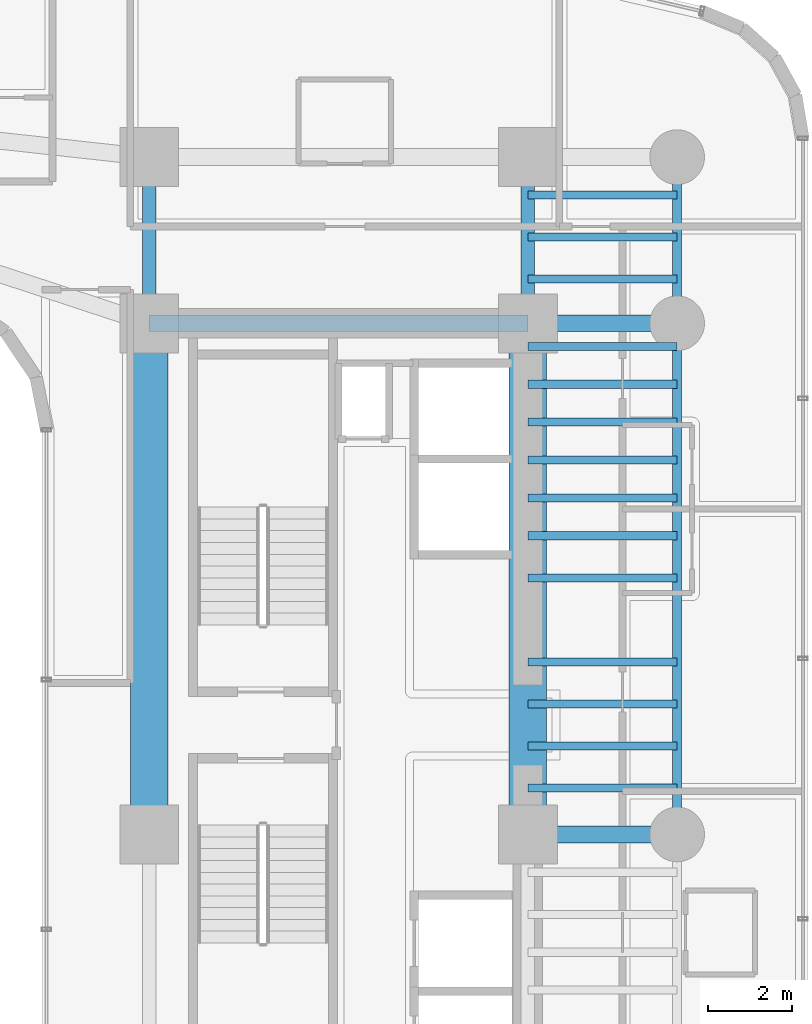
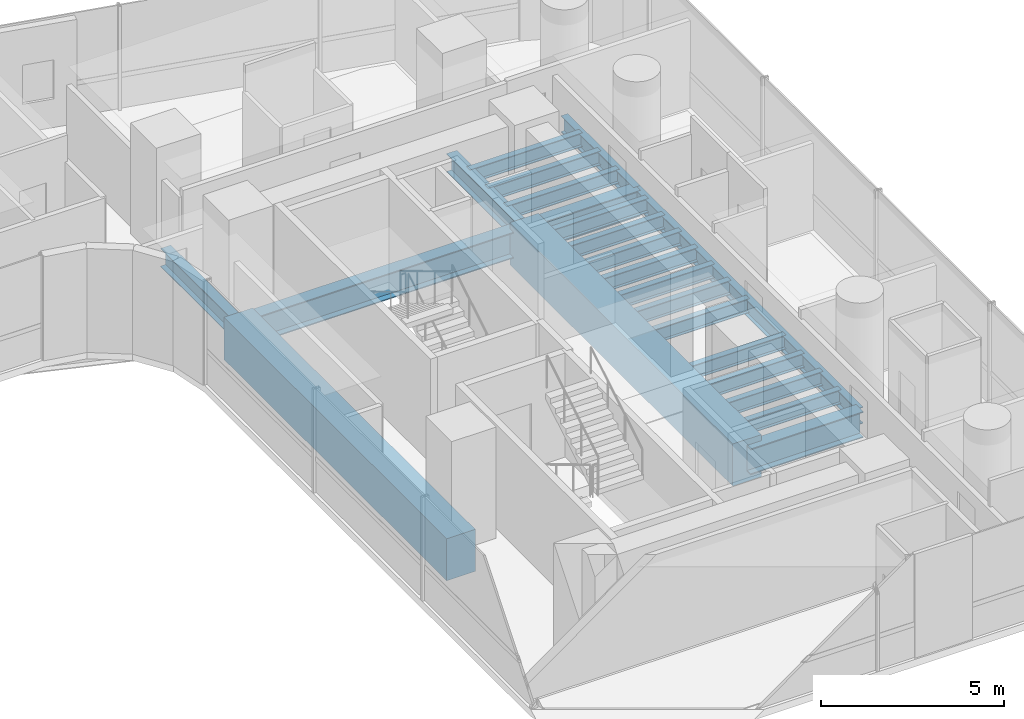
# One storey, part 17 of 42: 23 beams.
"""IFC4 building model written with IfcOpenShell, lengths in metres."""

from ifc_helpers import new_model, si_unit, direction, frame, origin, origin_2d, place, context, subcontext, project, spatial, rectangle, i_section, extrude, source, transform, mapped, material, material_profile, profile_set, type_object, element, save


model = new_model("IFC4")

# Units and contexts
model_context = context("Model", 3, precision=1e-05, world=origin(), true_north=direction((0.0, 1.0)))
body_context = subcontext(model_context, "Body", "Model", "MODEL_VIEW")
ifc_project = project(units=[si_unit("LENGTHUNIT", "METRE"), si_unit("AREAUNIT", "SQUARE_METRE"), si_unit("VOLUMEUNIT", "CUBIC_METRE"), si_unit("PLANEANGLEUNIT", "RADIAN"), si_unit("MASSUNIT", "GRAM", prefix="KILO")], contexts=[model_context])

# Site, building, storey
site_placement = place(None, origin())
site = spatial("IfcSite", under=ifc_project, at=site_placement, CompositionType="ELEMENT")
building_placement = place(site_placement, origin())
building = spatial("IfcBuilding", under=site, at=building_placement, Name="Valdorenza Pilgrim Sanctuary Tower", CompositionType="ELEMENT")
storey_placement = place(building_placement, frame((0.0, 0.0, 29.699951171875)))
storey = spatial("IfcBuildingStorey", under=building, at=storey_placement, Name="L06", CompositionType="ELEMENT", Elevation=29.699951171875)

# Beams
ifc_material_1 = material(Name="Concrete C60/75", Category="concrete")
ifc_material_profile_1 = material_profile(ifc_material_1, rectangle(XDim=0.89990234375, YDim=1.39990234375, at=origin_2d()), Name="RC 1400x900")
ifc_profile_set_1 = profile_set([ifc_material_profile_1], Name="Concrete C60/75")
beam_type_1 = type_object("IfcBeamType", Name="STR-BM-LNT-1400", PredefinedType="LINTEL", material=ifc_profile_set_1)
shared_shape_1 = source(origin(), body_context, "Body", "SweptSolid", [
    extrude(rectangle(XDim=0.89990234375, YDim=1.39990234375, at=origin_2d()), origin(), (0.0, 0.0, 1.0), 12.150146484375),
])
for number, where, z_axis, x_axis, name in (
    (1, (15.85009765625, -2.60009765625, -0.739990234375), (0.0, 1.0, 0.0), (-1.0, 0.0, 0.0), "L06 Core B West Coupling Lintel Girder"),
    (2, (24.85009765625, -2.60009765625, -0.739990234375), (0.0, 1.0, 0.0), (-1.0, 0.0, 0.0), "L06 Core B East Coupling Lintel Girder"),
):
    element("IfcBeam", number, at=place(storey_placement, frame(where, z_axis=z_axis, x_axis=x_axis)), inside=storey, type_object=beam_type_1, Name=name, PredefinedType="LINTEL", context=body_context, shape_type="MappedRepresentation", body=[
        mapped(shared_shape_1, transform((0.0, 0.0, 0.0), x_axis=(1.0, 0.0, 0.0), y_axis=(0.0, 1.0, 0.0), z_axis=(0.0, 0.0, 1.0), scale=1.0)),
    ])
ifc_material_2 = material(Name="Steel ASTM A992 Grade 50", Category="steel")
ifc_material_profile_2 = material_profile(ifc_material_2, i_section(OverallWidth=0.214111328125, OverallDepth=0.549072265625, WebThickness=0.0146484375, FlangeThickness=0.023681640625, at=origin_2d()), Name="W21X93")
ifc_profile_set_2 = profile_set([ifc_material_profile_2], Name="Steel ASTM A992 Grade 50")
beam_type_2 = type_object("IfcBeamType", Name="STR-BM-SPN-W21A", PredefinedType="SPANDREL", material=ifc_profile_set_2)
shared_shape_2 = source(origin(), body_context, "Body", "SweptSolid", [
    extrude(i_section(OverallWidth=0.214111328125, OverallDepth=0.549072265625, WebThickness=0.0146484375, FlangeThickness=0.023681640625, at=origin_2d()), origin(), (0.0, 0.0, 1.0), 12.150146484375),
])
beam_1_placement = place(storey_placement, frame((28.39990234375, -2.60009765625, -0.514404296875), z_axis=(0.0, 1.0, 0.0), x_axis=(-1.0, 0.0, 0.0)))
element("IfcBeam", 3, at=beam_1_placement, inside=storey, type_object=beam_type_2, Name="L06 Spandrel Beam WB-E-M0N1", PredefinedType="SPANDREL", context=body_context, shape_type="MappedRepresentation", body=[
    mapped(shared_shape_2, transform((0.0, 0.0, 0.0), x_axis=(1.0, 0.0, 0.0), y_axis=(0.0, 1.0, 0.0), z_axis=(0.0, 0.0, 1.0), scale=1.0)),
])
ifc_material_profile_3 = material_profile(ifc_material_2, i_section(OverallWidth=0.323974609375, OverallDepth=0.611083984375, WebThickness=0.0126953125, FlangeThickness=0.01904296875, at=origin_2d()), Name="W24X104")
ifc_profile_set_3 = profile_set([ifc_material_profile_3], Name="Steel ASTM A992 Grade 50")
beam_type_3 = type_object("IfcBeamType", Name="STR-BM-GRD-W24B", PredefinedType="BEAM", material=ifc_profile_set_3)
shared_shape_3 = source(origin(), body_context, "Body", "SweptSolid", [
    extrude(i_section(OverallWidth=0.323974609375, OverallDepth=0.611083984375, WebThickness=0.0126953125, FlangeThickness=0.01904296875, at=origin_2d()), origin(), (0.0, 0.0, 1.0), 3.949951171875),
])
for number, where, z_axis, x_axis, name in (
    (4, (15.85009765625, 9.550048828125, -0.54541015625), (0.0, 1.0, 0.0), (-1.0, 0.0, 0.0), "L06 Core Tie Girder CB-W-N1N2"),
    (5, (24.85009765625, 9.550048828125, -0.54541015625), (0.0, 1.0, 0.0), (-1.0, 0.0, 0.0), "L06 Core Tie Girder CB-E-N1N2"),
):
    element("IfcBeam", number, at=place(storey_placement, frame(where, z_axis=z_axis, x_axis=x_axis)), inside=storey, type_object=beam_type_3, Name=name, PredefinedType="BEAM", context=body_context, shape_type="MappedRepresentation", body=[
        mapped(shared_shape_3, transform((0.0, 0.0, 0.0), x_axis=(1.0, 0.0, 0.0), y_axis=(0.0, 1.0, 0.0), z_axis=(0.0, 0.0, 1.0), scale=1.0)),
    ])
shared_shape_4 = source(origin(), body_context, "Body", "SweptSolid", [
    extrude(i_section(OverallWidth=0.214111328125, OverallDepth=0.549072265625, WebThickness=0.0146484375, FlangeThickness=0.023681640625, at=origin_2d()), origin(), (0.0, 0.0, 1.0), 3.949951171875),
])
beam_2_placement = place(storey_placement, frame((28.39990234375, 9.550048828125, -0.514404296875), z_axis=(0.0, 1.0, 0.0), x_axis=(-1.0, 0.0, 0.0)))
element("IfcBeam", 6, at=beam_2_placement, inside=storey, type_object=beam_type_2, Name="L06 Spandrel Beam WB-E-N1N2", PredefinedType="SPANDREL", context=body_context, shape_type="MappedRepresentation", body=[
    mapped(shared_shape_4, transform((0.0, 0.0, 0.0), x_axis=(1.0, 0.0, 0.0), y_axis=(0.0, 1.0, 0.0), z_axis=(0.0, 0.0, 1.0), scale=1.0)),
])
ifc_material_profile_4 = material_profile(ifc_material_2, i_section(OverallWidth=0.193115234375, OverallDepth=0.466064453125, WebThickness=0.011474609375, FlangeThickness=0.01904296875, at=origin_2d()), Name="W18X65")
ifc_profile_set_4 = profile_set([ifc_material_profile_4], Name="Steel ASTM A992 Grade 50")
beam_type_4 = type_object("IfcBeamType", Name="STR-BM-JST-W18A", PredefinedType="JOIST", material=ifc_profile_set_4)
shared_shape_5 = source(origin(), body_context, "Body", "SweptSolid", [
    extrude(i_section(OverallWidth=0.193115234375, OverallDepth=0.466064453125, WebThickness=0.011474609375, FlangeThickness=0.01904296875, at=origin_2d()), origin(), (0.0, 0.0, 1.0), 3.5498046875),
])
for number, where, z_axis, x_axis, name in (
    (7, (24.85009765625, -1.5, -0.472900390625), (1.0, 0.0, 0.0), (0.0, 1.0, 0.0), "L06 Composite Floor Joist JST-WB-8"),
    (8, (24.85009765625, -0.5, -0.472900390625), (1.0, 0.0, 0.0), (0.0, 1.0, 0.0), "L06 Composite Floor Joist JST-WB-9"),
    (9, (24.85009765625, 0.5, -0.472900390625), (1.0, 0.0, 0.0), (0.0, 1.0, 0.0), "L06 Composite Floor Joist JST-WB-10"),
    (10, (24.85009765625, 1.5, -0.472900390625), (1.0, 0.0, 0.0), (0.0, 1.0, 0.0), "L06 Composite Floor Joist JST-WB-11"),
    (11, (24.85009765625, 3.5, -0.472900390625), (1.0, 0.0, 0.0), (0.0, 1.0, 0.0), "L06 Composite Floor Joist JST-WB-12"),
    (12, (24.85009765625, 4.5, -0.472900390625), (1.0, 0.0, 0.0), (0.0, 1.0, 0.0), "L06 Composite Floor Joist JST-WB-13"),
    (13, (24.85009765625, 5.39990234375, -0.472900390625), (1.0, 0.0, 0.0), (0.0, 1.0, 0.0), "L06 Composite Floor Joist JST-WB-14"),
    (14, (24.85009765625, 6.300048828125, -0.472900390625), (1.0, 0.0, 0.0), (0.0, 1.0, 0.0), "L06 Composite Floor Joist JST-WB-15"),
    (15, (24.85009765625, 7.199951171875, -0.472900390625), (1.0, 0.0, 0.0), (0.0, 1.0, 0.0), "L06 Composite Floor Joist JST-WB-16"),
    (16, (24.85009765625, 8.10009765625, -0.472900390625), (1.0, 0.0, 0.0), (0.0, 1.0, 0.0), "L06 Composite Floor Joist JST-WB-17"),
    (17, (24.85009765625, 9.0, -0.472900390625), (1.0, 0.0, 0.0), (0.0, 1.0, 0.0), "L06 Composite Floor Joist JST-WB-18"),
    (18, (24.85009765625, 10.60009765625, -0.472900390625), (1.0, 0.0, 0.0), (0.0, 1.0, 0.0), "L06 Composite Floor Joist JST-WB-19"),
    (19, (24.85009765625, 11.60009765625, -0.472900390625), (1.0, 0.0, 0.0), (0.0, 1.0, 0.0), "L06 Composite Floor Joist JST-WB-20"),
    (20, (24.85009765625, 12.60009765625, -0.472900390625), (1.0, 0.0, 0.0), (0.0, 1.0, 0.0), "L06 Composite Floor Joist JST-WB-21"),
):
    element("IfcBeam", number, at=place(storey_placement, frame(where, z_axis=z_axis, x_axis=x_axis)), inside=storey, type_object=beam_type_4, Name=name, PredefinedType="JOIST", context=body_context, shape_type="MappedRepresentation", body=[
        mapped(shared_shape_5, transform((0.0, 0.0, 0.0), x_axis=(1.0, 0.0, 0.0), y_axis=(0.0, 1.0, 0.0), z_axis=(0.0, 0.0, 1.0), scale=1.0)),
    ])
ifc_material_profile_5 = material_profile(ifc_material_2, i_section(OverallWidth=0.39990234375, OverallDepth=0.862060546875, WebThickness=0.019775390625, FlangeThickness=0.032470703125, at=origin_2d()), Name="W33X221")
ifc_profile_set_5 = profile_set([ifc_material_profile_5], Name="Steel ASTM A992 Grade 50")
beam_type_5 = type_object("IfcBeamType", Name="STR-BM-GRD-W33", PredefinedType="BEAM", material=ifc_profile_set_5)
shared_shape_6 = source(origin(), body_context, "Body", "SweptSolid", [
    extrude(i_section(OverallWidth=0.39990234375, OverallDepth=0.862060546875, WebThickness=0.019775390625, FlangeThickness=0.032470703125, at=origin_2d()), origin(), (0.0, 0.0, 1.0), 9.0),
])
beam_3_placement = place(storey_placement, frame((15.85009765625, 9.550048828125, -0.6708984375), z_axis=(1.0, 0.0, 0.0), x_axis=(0.0, 1.0, 0.0)))
element("IfcBeam", 21, at=beam_3_placement, inside=storey, type_object=beam_type_5, Name="L06 Floor Girder CB-XC-N1", PredefinedType="BEAM", context=body_context, shape_type="MappedRepresentation", body=[
    mapped(shared_shape_6, transform((0.0, 0.0, 0.0), x_axis=(1.0, 0.0, 0.0), y_axis=(0.0, 1.0, 0.0), z_axis=(0.0, 0.0, 1.0), scale=1.0)),
])
shared_shape_7 = source(origin(), body_context, "Body", "SweptSolid", [
    extrude(i_section(OverallWidth=0.39990234375, OverallDepth=0.862060546875, WebThickness=0.019775390625, FlangeThickness=0.032470703125, at=origin_2d()), origin(), (0.0, 0.0, 1.0), 3.5498046875),
])
for number, where, z_axis, x_axis, name in (
    (22, (24.85009765625, -2.60009765625, -0.6708984375), (1.0, 0.0, 0.0), (0.0, 1.0, 0.0), "L06 Floor Girder WB-XE-M0"),
    (23, (24.85009765625, 9.550048828125, -0.6708984375), (1.0, 0.0, 0.0), (0.0, 1.0, 0.0), "L06 Floor Girder WB-XE-N1"),
):
    element("IfcBeam", number, at=place(storey_placement, frame(where, z_axis=z_axis, x_axis=x_axis)), inside=storey, type_object=beam_type_5, Name=name, PredefinedType="BEAM", context=body_context, shape_type="MappedRepresentation", body=[
        mapped(shared_shape_7, transform((0.0, 0.0, 0.0), x_axis=(1.0, 0.0, 0.0), y_axis=(0.0, 1.0, 0.0), z_axis=(0.0, 0.0, 1.0), scale=1.0)),
    ])

save(model, "model.ifc")
